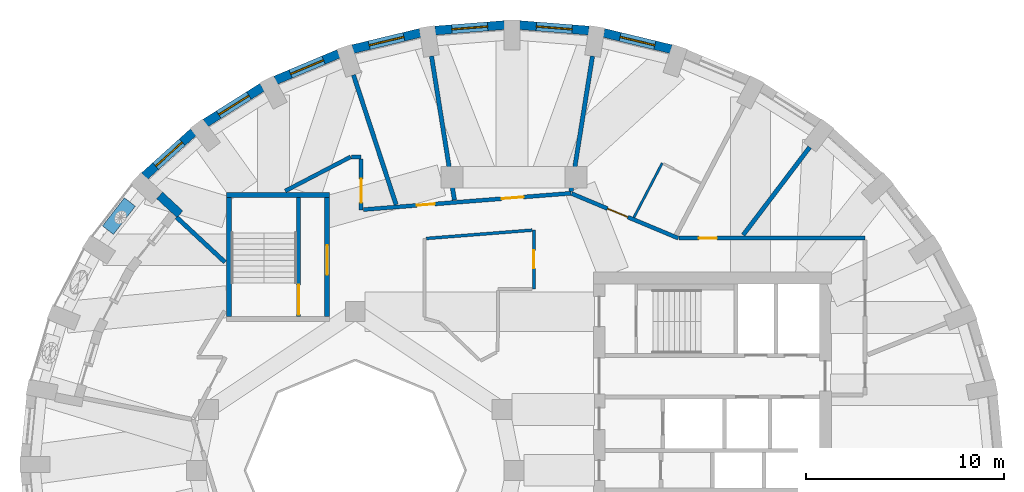
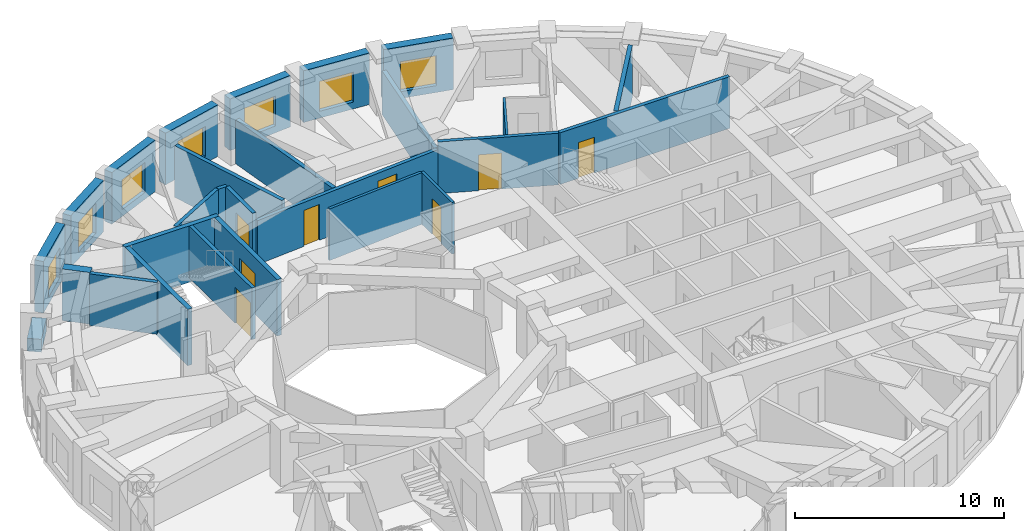
# One storey, part 7 of 12: 27 walls, 8 doors, 7 windows, 15 openings.
"""IFC4 building model written with IfcOpenShell, lengths in metres."""

from ifc_helpers import new_model, si_unit, direction, frame, frame_2d, origin, place, context, subcontext, project, spatial, rectangle, extrude, material, layer, layer_set, constituent, constituent_set, type_object, element, fill, save


model = new_model("IFC4")

# Units and contexts
model_context = context("Model", 3, precision=1e-05, world=origin(), true_north=direction((0.0, 1.0)))
body_context = subcontext(model_context, "Body", "Model", "MODEL_VIEW")
ifc_project = project(units=[si_unit("LENGTHUNIT", "METRE"), si_unit("AREAUNIT", "SQUARE_METRE"), si_unit("VOLUMEUNIT", "CUBIC_METRE"), si_unit("PLANEANGLEUNIT", "RADIAN"), si_unit("MASSUNIT", "GRAM", prefix="KILO")], contexts=[model_context])

# Site, building, storey
site_placement = place(None, origin())
site = spatial("IfcSite", under=ifc_project, at=site_placement, CompositionType="ELEMENT")
building_placement = place(site_placement, origin())
building = spatial("IfcBuilding", under=site, at=building_placement, Name="Taillehof Tower", CompositionType="ELEMENT")
storey_placement = place(building_placement, frame((0.0, 0.0, 249.800048828125)))
storey = spatial("IfcBuildingStorey", under=building, at=storey_placement, Name="L71", CompositionType="ELEMENT", Elevation=249.800048828125)

# Wall, opening, window
ifc_material_1 = material(Name="Brick masonry", Category="masonry")
ifc_layer_1 = layer(ifc_material_1, 0.449951171875)
ifc_layer_set_1 = layer_set([ifc_layer_1], Name="Brick infill wall 450")
wall_type_1 = type_object("IfcWallType", Name="Brick infill wall 450", PredefinedType="SOLIDWALL", material=ifc_layer_set_1)
wall_1_placement = place(storey_placement, frame((7.918701171875, 21.231689453125, 0.0), z_axis=(0.0, 0.0, 1.0), x_axis=(-0.972099278496, 0.23456980357, 0.0)))
wall_1 = element("IfcWall", 1, at=wall_1_placement, inside=storey, type_object=wall_type_1, Name="Brick wall L71 bay 8", PredefinedType="SOLIDWALL", context=body_context, shape_type="SweptSolid", body=[
    extrude(rectangle(XDim=3.486572265625, YDim=0.449951171875, at=frame_2d((1.7431640625, 0.0))), origin(), (0.0, 0.0, 1.0), 3.02001953125),
])
opening_1_placement = place(wall_1_placement, frame((0.84326171875, 0.0, 0.39990234375)))
opening_1 = element("IfcOpeningElement", 2, at=opening_1_placement, cuts=wall_1, Name="Opening W4", PredefinedType="OPENING", context=body_context, shape_type="SweptSolid", body=[
    extrude(rectangle(XDim=1.800048828125, YDim=1.75, at=frame_2d((0.89990234375, 0.875))), frame((0.0, 0.23486328125, 0.0), z_axis=(0.0, -1.0, 0.0), x_axis=(1.0, 0.0, 0.0)), (0.0, 0.0, 1.0), 0.469970703125),
])
ifc_material_2 = material(Name="Aluminium window frame with clear double glazing", Category="aluminium")
window_type = type_object("IfcWindowType", Name="Deep-set window 1800x1750", PartitioningType="SINGLE_PANEL", PredefinedType="WINDOW", material=ifc_material_2)
window_1_placement = place(opening_1_placement, origin())
window_1 = element("IfcWindow", 3, at=window_1_placement, inside=storey, type_object=window_type, Name="W4", OverallHeight=1.75, OverallWidth=1.800048828125, PartitioningType="SINGLE_PANEL", PredefinedType="WINDOW", context=body_context, shape_type="SweptSolid", body=[
    extrude(rectangle(XDim=1.800048828125, YDim=1.75, at=frame_2d((0.89990234375, 0.875))), frame((0.0, 0.034912109375, 0.0), z_axis=(0.0, -1.0, 0.0), x_axis=(1.0, 0.0, 0.0)), (0.0, 0.0, 1.0), 0.06005859375),
])
fill(opening_1, window_1)

wall_2_placement = place(storey_placement, frame((3.778564453125, 22.168701171875, 0.0), z_axis=(0.0, 0.0, 1.0), x_axis=(-0.996910775835, 0.078542377245, 0.0)))
wall_2 = element("IfcWall", 4, at=wall_2_placement, inside=storey, type_object=wall_type_1, Name="Brick wall L71 bay 9", PredefinedType="SOLIDWALL", context=body_context, shape_type="SweptSolid", body=[
    extrude(rectangle(XDim=3.50927734375, YDim=0.449951171875, at=frame_2d((1.754638671875, 0.0))), origin(), (0.0, 0.0, 1.0), 3.02001953125),
])
opening_2_placement = place(wall_2_placement, frame((0.854736328125, 0.0, 0.39990234375)))
opening_2 = element("IfcOpeningElement", 5, at=opening_2_placement, cuts=wall_2, Name="Opening W4", PredefinedType="OPENING", context=body_context, shape_type="SweptSolid", body=[
    extrude(rectangle(XDim=1.800048828125, YDim=1.75, at=frame_2d((0.89990234375, 0.875))), frame((0.0, 0.23486328125, 0.0), z_axis=(0.0, -1.0, 0.0), x_axis=(1.0, 0.0, 0.0)), (0.0, 0.0, 1.0), 0.469970703125),
])
window_2_placement = place(opening_2_placement, origin())
window_2 = element("IfcWindow", 6, at=window_2_placement, inside=storey, type_object=window_type, Name="W4", OverallHeight=1.75, OverallWidth=1.800048828125, PartitioningType="SINGLE_PANEL", PredefinedType="WINDOW", context=body_context, shape_type="SweptSolid", body=[
    extrude(rectangle(XDim=1.800048828125, YDim=1.75, at=frame_2d((0.89990234375, 0.875))), frame((0.0, 0.034912109375, 0.0), z_axis=(0.0, -1.0, 0.0), x_axis=(1.0, 0.0, 0.0)), (0.0, 0.0, 1.0), 0.06005859375),
])
fill(opening_2, window_2)

wall_3_placement = place(storey_placement, frame((-0.47998046875, 22.4443359375, 0.0), z_axis=(0.0, 0.0, 1.0), x_axis=(-0.996910775835, -0.078542377245, 0.0)))
wall_3 = element("IfcWall", 7, at=wall_3_placement, inside=storey, type_object=wall_type_1, Name="Brick wall L71 bay 10", PredefinedType="SOLIDWALL", context=body_context, shape_type="SweptSolid", body=[
    extrude(rectangle(XDim=3.50927734375, YDim=0.449951171875, at=frame_2d((1.754638671875, 0.0))), origin(), (0.0, 0.0, 1.0), 3.02001953125),
])
opening_3_placement = place(wall_3_placement, frame((0.854736328125, 0.0, 0.39990234375)))
opening_3 = element("IfcOpeningElement", 8, at=opening_3_placement, cuts=wall_3, Name="Opening W4", PredefinedType="OPENING", context=body_context, shape_type="SweptSolid", body=[
    extrude(rectangle(XDim=1.800048828125, YDim=1.75, at=frame_2d((0.89990234375, 0.875))), frame((0.0, 0.23486328125, 0.0), z_axis=(0.0, -1.0, 0.0), x_axis=(1.0, 0.0, 0.0)), (0.0, 0.0, 1.0), 0.469970703125),
])
window_3_placement = place(opening_3_placement, origin())
window_3 = element("IfcWindow", 9, at=window_3_placement, inside=storey, type_object=window_type, Name="W4", OverallHeight=1.75, OverallWidth=1.800048828125, PartitioningType="SINGLE_PANEL", PredefinedType="WINDOW", context=body_context, shape_type="SweptSolid", body=[
    extrude(rectangle(XDim=1.800048828125, YDim=1.75, at=frame_2d((0.89990234375, 0.875))), frame((0.0, 0.034912109375, 0.0), z_axis=(0.0, -1.0, 0.0), x_axis=(1.0, 0.0, 0.0)), (0.0, 0.0, 1.0), 0.06005859375),
])
fill(opening_3, window_3)

wall_4_placement = place(storey_placement, frame((-4.729248046875, 22.049560546875, 0.0), z_axis=(0.0, 0.0, 1.0), x_axis=(-0.972099278496, -0.23456980357, 0.0)))
wall_4 = element("IfcWall", 10, at=wall_4_placement, inside=storey, type_object=wall_type_1, Name="Brick wall L71 bay 11", PredefinedType="SOLIDWALL", context=body_context, shape_type="SweptSolid", body=[
    extrude(rectangle(XDim=3.486572265625, YDim=0.449951171875, at=frame_2d((1.7431640625, 0.0))), origin(), (0.0, 0.0, 1.0), 3.02001953125),
])
opening_4_placement = place(wall_4_placement, frame((0.84326171875, 0.0, 0.39990234375)))
opening_4 = element("IfcOpeningElement", 11, at=opening_4_placement, cuts=wall_4, Name="Opening W4", PredefinedType="OPENING", context=body_context, shape_type="SweptSolid", body=[
    extrude(rectangle(XDim=1.800048828125, YDim=1.75, at=frame_2d((0.89990234375, 0.875))), frame((0.0, 0.23486328125, 0.0), z_axis=(0.0, -1.0, 0.0), x_axis=(1.0, 0.0, 0.0)), (0.0, 0.0, 1.0), 0.469970703125),
])
window_4_placement = place(opening_4_placement, origin())
window_4 = element("IfcWindow", 12, at=window_4_placement, inside=storey, type_object=window_type, Name="W4", OverallHeight=1.75, OverallWidth=1.800048828125, PartitioningType="SINGLE_PANEL", PredefinedType="WINDOW", context=body_context, shape_type="SweptSolid", body=[
    extrude(rectangle(XDim=1.800048828125, YDim=1.75, at=frame_2d((0.89990234375, 0.875))), frame((0.0, 0.034912109375, 0.0), z_axis=(0.0, -1.0, 0.0), x_axis=(1.0, 0.0, 0.0)), (0.0, 0.0, 1.0), 0.06005859375),
])
fill(opening_4, window_4)

wall_5_placement = place(storey_placement, frame((-8.8408203125, 20.994873046875, 0.0), z_axis=(0.0, 0.0, 1.0), x_axis=(-0.922024627475, -0.387131226239, 0.0)))
wall_5 = element("IfcWall", 13, at=wall_5_placement, inside=storey, type_object=wall_type_1, Name="Brick wall L71 bay 12", PredefinedType="SOLIDWALL", context=body_context, shape_type="SweptSolid", body=[
    extrude(rectangle(XDim=3.443359375, YDim=0.449951171875, at=frame_2d((1.7216796875, 0.0))), origin(), (0.0, 0.0, 1.0), 3.02001953125),
])
opening_5_placement = place(wall_5_placement, frame((0.82177734375, 0.0, 0.39990234375)))
opening_5 = element("IfcOpeningElement", 14, at=opening_5_placement, cuts=wall_5, Name="Opening W4", PredefinedType="OPENING", context=body_context, shape_type="SweptSolid", body=[
    extrude(rectangle(XDim=1.800048828125, YDim=1.75, at=frame_2d((0.89990234375, 0.875))), frame((0.0, 0.23486328125, 0.0), z_axis=(0.0, -1.0, 0.0), x_axis=(1.0, 0.0, 0.0)), (0.0, 0.0, 1.0), 0.469970703125),
])
window_5_placement = place(opening_5_placement, origin())
window_5 = element("IfcWindow", 15, at=window_5_placement, inside=storey, type_object=window_type, Name="W4", OverallHeight=1.75, OverallWidth=1.800048828125, PartitioningType="SINGLE_PANEL", PredefinedType="WINDOW", context=body_context, shape_type="SweptSolid", body=[
    extrude(rectangle(XDim=1.800048828125, YDim=1.75, at=frame_2d((0.89990234375, 0.875))), frame((0.0, 0.034912109375, 0.0), z_axis=(0.0, -1.0, 0.0), x_axis=(1.0, 0.0, 0.0)), (0.0, 0.0, 1.0), 0.06005859375),
])
fill(opening_5, window_5)

wall_6_placement = place(storey_placement, frame((-12.68994140625, 19.31103515625, 0.0), z_axis=(0.0, 0.0, 1.0), x_axis=(-0.845929139811, -0.53329531258, 0.0)))
wall_6 = element("IfcWall", 16, at=wall_6_placement, inside=storey, type_object=wall_type_1, Name="Brick wall L71 bay 13", PredefinedType="SOLIDWALL", context=body_context, shape_type="SweptSolid", body=[
    extrude(rectangle(XDim=3.384521484375, YDim=0.449951171875, at=frame_2d((1.6923828125, 0.0))), origin(), (0.0, 0.0, 1.0), 3.02001953125),
])
opening_6_placement = place(wall_6_placement, frame((0.792236328125, 0.0, 0.39990234375)))
opening_6 = element("IfcOpeningElement", 17, at=opening_6_placement, cuts=wall_6, Name="Opening W4", PredefinedType="OPENING", context=body_context, shape_type="SweptSolid", body=[
    extrude(rectangle(XDim=1.800048828125, YDim=1.75, at=frame_2d((0.89990234375, 0.875))), frame((0.0, 0.23486328125, 0.0), z_axis=(0.0, -1.0, 0.0), x_axis=(1.0, 0.0, 0.0)), (0.0, 0.0, 1.0), 0.469970703125),
])
window_6_placement = place(opening_6_placement, origin())
window_6 = element("IfcWindow", 18, at=window_6_placement, inside=storey, type_object=window_type, Name="W4", OverallHeight=1.75, OverallWidth=1.800048828125, PartitioningType="SINGLE_PANEL", PredefinedType="WINDOW", context=body_context, shape_type="SweptSolid", body=[
    extrude(rectangle(XDim=1.800048828125, YDim=1.75, at=frame_2d((0.89990234375, 0.875))), frame((0.0, 0.034912109375, 0.0), z_axis=(0.0, -1.0, 0.0), x_axis=(1.0, 0.0, 0.0)), (0.0, 0.0, 1.0), 0.06005859375),
])
fill(opening_6, window_6)

wall_7_placement = place(storey_placement, frame((-16.1591796875, 17.04736328125, 0.0), z_axis=(0.0, 0.0, 1.0), x_axis=(-0.743166014219, -0.669107073128, 0.0)))
wall_7 = element("IfcWall", 19, at=wall_7_placement, inside=storey, type_object=wall_type_1, Name="Brick wall L71 bay 14", PredefinedType="SOLIDWALL", context=body_context, shape_type="SweptSolid", body=[
    extrude(rectangle(XDim=3.31640625, YDim=0.449951171875, at=frame_2d((1.658203125, 0.0))), origin(), (0.0, 0.0, 1.0), 3.02001953125),
])
opening_7_placement = place(wall_7_placement, frame((0.75830078125, 0.0, 0.39990234375)))
opening_7 = element("IfcOpeningElement", 20, at=opening_7_placement, cuts=wall_7, Name="Opening W4", PredefinedType="OPENING", context=body_context, shape_type="SweptSolid", body=[
    extrude(rectangle(XDim=1.800048828125, YDim=1.75, at=frame_2d((0.89990234375, 0.875))), frame((0.0, 0.23486328125, 0.0), z_axis=(0.0, -1.0, 0.0), x_axis=(1.0, 0.0, 0.0)), (0.0, 0.0, 1.0), 0.469970703125),
])
window_7_placement = place(opening_7_placement, origin())
window_7 = element("IfcWindow", 21, at=window_7_placement, inside=storey, type_object=window_type, Name="W4", OverallHeight=1.75, OverallWidth=1.800048828125, PartitioningType="SINGLE_PANEL", PredefinedType="WINDOW", context=body_context, shape_type="SweptSolid", body=[
    extrude(rectangle(XDim=1.800048828125, YDim=1.75, at=frame_2d((0.89990234375, 0.875))), frame((0.0, 0.034912109375, 0.0), z_axis=(0.0, -1.0, 0.0), x_axis=(1.0, 0.0, 0.0)), (0.0, 0.0, 1.0), 0.06005859375),
])
fill(opening_7, window_7)

# Walls
wall_8_placement = place(storey_placement, frame((-17.861083984375, 13.856689453125, 0.0), z_axis=(0.0, 0.0, 1.0), x_axis=(0.732605925603, -0.680653037731, 0.0)))
element("IfcWall", 22, at=wall_8_placement, inside=storey, type_object=wall_type_1, Name="Brick reveal L71 pocket 4", PredefinedType="SOLIDWALL", context=body_context, shape_type="SweptSolid", body=[
    extrude(rectangle(XDim=1.390869140625, YDim=0.449951171875, at=frame_2d((0.6953125, 0.0))), origin(), (0.0, 0.0, 1.0), 3.02001953125),
])
ifc_material_3 = material(Name="Gypsum board on steel studs, two layers each side", Category="steel")
ifc_layer_2 = layer(ifc_material_3, 0.199951171875)
ifc_layer_set_2 = layer_set([ifc_layer_2], Name="Compartment wall corridor 200")
wall_type_2 = type_object("IfcWallType", Name="Compartment wall corridor 200", PredefinedType="PARTITIONING", material=ifc_layer_set_2)
wall_9_placement = place(storey_placement, frame((-11.53369140625, 14.080810546875, 0.0), z_axis=(0.0, 0.0, 1.0), x_axis=(0.886975089277, 0.461817270143, 0.0)))
element("IfcWall", 23, at=wall_9_placement, inside=storey, type_object=wall_type_2, Name="Compartment wall", PredefinedType="PARTITIONING", context=body_context, shape_type="SweptSolid", body=[
    extrude(rectangle(XDim=3.72265625, YDim=0.199951171875, at=frame_2d((1.861328125, 0.0))), origin(), (0.0, 0.0, 1.0), 3.02001953125),
])
wall_10_placement = place(storey_placement, frame((-8.191650390625, 15.800048828125, 0.0), z_axis=(0.0, 0.0, 1.0), x_axis=(1.0, 0.0, 0.0)))
element("IfcWall", 24, at=wall_10_placement, inside=storey, type_object=wall_type_2, Name="Compartment wall", PredefinedType="PARTITIONING", context=body_context, shape_type="SweptSolid", body=[
    extrude(rectangle(XDim=0.49169921875, YDim=0.199951171875, at=frame_2d((0.245849609375, 0.0))), origin(), (0.0, 0.0, 1.0), 3.02001953125),
])

# Wall, opening, door
wall_11_placement = place(storey_placement, frame((-7.699951171875, 15.699951171875, 0.0), z_axis=(0.0, 0.0, 1.0), x_axis=(0.0, -1.0, 0.0)))
wall_11 = element("IfcWall", 25, at=wall_11_placement, inside=storey, type_object=wall_type_2, Name="Compartment wall", PredefinedType="PARTITIONING", context=body_context, shape_type="SweptSolid", body=[
    extrude(rectangle(XDim=2.56494140625, YDim=0.199951171875, at=frame_2d((1.282470703125, 0.0))), origin(), (0.0, 0.0, 1.0), 3.02001953125),
])
opening_8_placement = place(wall_11_placement, frame((1.008056640625, 0.0, 0.0)))
opening_8 = element("IfcOpeningElement", 26, at=opening_8_placement, cuts=wall_11, Name="Opening D7145", PredefinedType="OPENING", context=body_context, shape_type="SweptSolid", body=[
    extrude(rectangle(XDim=1.199951171875, YDim=2.10009765625, at=frame_2d((0.60009765625, 1.050048828125))), frame((0.0, 0.10986328125, 0.0), z_axis=(0.0, -1.0, 0.0), x_axis=(1.0, 0.0, 0.0)), (0.0, 0.0, 1.0), 0.219970703125),
])
ifc_material_4 = material(Name="Timber door leaf in steel frame", Category="steel")
door_type_1 = type_object("IfcDoorType", Name="Suite entrance door EI 30 1200 x 2100", OperationType="SINGLE_SWING_LEFT", PredefinedType="DOOR", material=ifc_material_4)
door_1_placement = place(opening_8_placement, origin())
door_1 = element("IfcDoor", 27, at=door_1_placement, inside=storey, type_object=door_type_1, Name="D7145", OperationType="SINGLE_SWING_RIGHT", OverallHeight=2.10009765625, OverallWidth=1.199951171875, PredefinedType="DOOR", context=body_context, shape_type="SweptSolid", body=[
    extrude(rectangle(XDim=1.199951171875, YDim=2.10009765625, at=frame_2d((0.60009765625, 1.050048828125))), frame((0.0, 0.02490234375, 0.0), z_axis=(0.0, -1.0, 0.0), x_axis=(1.0, 0.0, 0.0)), (0.0, 0.0, 1.0), 0.050048828125),
])
fill(opening_8, door_1)

# Wall, openings, doors
wall_12_placement = place(storey_placement, frame((-7.579833984375, 13.143798828125, 0.0), z_axis=(0.0, 0.0, 1.0), x_axis=(0.996921908045, 0.078400951905, 0.0)))
wall_12 = element("IfcWall", 28, at=wall_12_placement, inside=storey, type_object=wall_type_2, Name="Compartment wall", PredefinedType="PARTITIONING", context=body_context, shape_type="SweptSolid", body=[
    extrude(rectangle(XDim=10.481689453125, YDim=0.199951171875, at=frame_2d((5.24072265625, 0.0))), origin(), (0.0, 0.0, 1.0), 2.570068359375),
])
opening_9_placement = place(wall_12_placement, frame((6.98974609375, 0.0, 0.0)))
opening_9 = element("IfcOpeningElement", 29, at=opening_9_placement, cuts=wall_12, Name="Opening D7143", PredefinedType="OPENING", context=body_context, shape_type="SweptSolid", body=[
    extrude(rectangle(XDim=1.10009765625, YDim=2.10009765625, at=frame_2d((0.550048828125, 1.050048828125))), frame((0.0, 0.10986328125, 0.0), z_axis=(0.0, -1.0, 0.0), x_axis=(1.0, 0.0, 0.0)), (0.0, 0.0, 1.0), 0.219970703125),
])
opening_10_placement = place(wall_12_placement, frame((2.696044921875, 0.0, 0.0)))
opening_10 = element("IfcOpeningElement", 30, at=opening_10_placement, cuts=wall_12, Name="Opening D7144", PredefinedType="OPENING", context=body_context, shape_type="SweptSolid", body=[
    extrude(rectangle(XDim=0.89990234375, YDim=2.10009765625, at=frame_2d((0.449951171875, 1.050048828125))), frame((0.0, 0.10986328125, 0.0), z_axis=(0.0, -1.0, 0.0), x_axis=(1.0, 0.0, 0.0)), (0.0, 0.0, 1.0), 0.219970703125),
])
ifc_material_5 = material(Name="Timber door leaf in steel frame", Category="steel")
door_type_2 = type_object("IfcDoorType", Name="Service room door EI 30 900 x 2100", OperationType="SINGLE_SWING_LEFT", PredefinedType="DOOR", material=ifc_material_5)
door_2_placement = place(opening_10_placement, origin())
door_2 = element("IfcDoor", 31, at=door_2_placement, inside=storey, type_object=door_type_2, Name="D7144", OperationType="SINGLE_SWING_LEFT", OverallHeight=2.10009765625, OverallWidth=0.89990234375, PredefinedType="DOOR", context=body_context, shape_type="SweptSolid", body=[
    extrude(rectangle(XDim=0.89990234375, YDim=2.10009765625, at=frame_2d((0.449951171875, 1.050048828125))), frame((0.0, 0.02490234375, 0.0), z_axis=(0.0, -1.0, 0.0), x_axis=(1.0, 0.0, 0.0)), (0.0, 0.0, 1.0), 0.050048828125),
])
fill(opening_10, door_2)
ifc_material_6 = material(Name="Timber door leaf in steel frame", Category="steel")
door_type_3 = type_object("IfcDoorType", Name="Suite entrance door EI 30 1100 x 2100", OperationType="SINGLE_SWING_LEFT", PredefinedType="DOOR", material=ifc_material_6)
door_3_placement = place(opening_9_placement, origin())
door_3 = element("IfcDoor", 32, at=door_3_placement, inside=storey, type_object=door_type_3, Name="D7143", OperationType="SINGLE_SWING_RIGHT", OverallHeight=2.10009765625, OverallWidth=1.10009765625, PredefinedType="DOOR", context=body_context, shape_type="SweptSolid", body=[
    extrude(rectangle(XDim=1.10009765625, YDim=2.10009765625, at=frame_2d((0.550048828125, 1.050048828125))), frame((0.0, 0.02490234375, 0.0), z_axis=(0.0, -1.0, 0.0), x_axis=(1.0, 0.0, 0.0)), (0.0, 0.0, 1.0), 0.050048828125),
])
fill(opening_9, door_3)

# Wall, opening, door
wall_13_placement = place(storey_placement, frame((2.90673828125, 13.949951171875, 0.0), z_axis=(0.0, 0.0, 1.0), x_axis=(0.922453481254, -0.386108242494, 0.0)))
wall_13 = element("IfcWall", 33, at=wall_13_placement, inside=storey, type_object=wall_type_2, Name="Compartment wall", PredefinedType="PARTITIONING", context=body_context, shape_type="SweptSolid", body=[
    extrude(rectangle(XDim=5.827392578125, YDim=0.199951171875, at=frame_2d((2.91357421875, 0.0))), origin(), (0.0, 0.0, 1.0), 3.02001953125),
])
opening_11_placement = place(wall_13_placement, frame((1.967529296875, 0.0, 0.0)))
opening_11 = element("IfcOpeningElement", 34, at=opening_11_placement, cuts=wall_13, Name="Opening D7141", PredefinedType="OPENING", context=body_context, shape_type="SweptSolid", body=[
    extrude(rectangle(XDim=1.10009765625, YDim=2.10009765625, at=frame_2d((0.550048828125, 1.050048828125))), frame((0.0, 0.10986328125, 0.0), z_axis=(0.0, -1.0, 0.0), x_axis=(1.0, 0.0, 0.0)), (0.0, 0.0, 1.0), 0.219970703125),
])
ifc_material_7 = material(Name="Timber door leaf in steel frame", Category="steel")
door_type_4 = type_object("IfcDoorType", Name="Accessible guest room door EI 30 1100 x 2100", OperationType="SINGLE_SWING_LEFT", PredefinedType="DOOR", material=ifc_material_7)
door_4_placement = place(opening_11_placement, origin())
door_4 = element("IfcDoor", 35, at=door_4_placement, inside=storey, type_object=door_type_4, Name="D7141", OperationType="SINGLE_SWING_RIGHT", OverallHeight=2.10009765625, OverallWidth=1.10009765625, PredefinedType="DOOR", context=body_context, shape_type="SweptSolid", body=[
    extrude(rectangle(XDim=1.10009765625, YDim=2.10009765625, at=frame_2d((0.550048828125, 1.050048828125))), frame((0.0, 0.02490234375, 0.0), z_axis=(0.0, -1.0, 0.0), x_axis=(1.0, 0.0, 0.0)), (0.0, 0.0, 1.0), 0.050048828125),
])
fill(opening_11, door_4)

wall_14_placement = place(storey_placement, frame((8.322265625, 11.699951171875, 0.0), z_axis=(0.0, 0.0, 1.0), x_axis=(1.0, 0.0, 0.0)))
wall_14 = element("IfcWall", 36, at=wall_14_placement, inside=storey, type_object=wall_type_2, Name="Compartment wall", PredefinedType="PARTITIONING", context=body_context, shape_type="SweptSolid", body=[
    extrude(rectangle(XDim=9.377685546875, YDim=0.199951171875, at=frame_2d((4.68896484375, 0.0))), origin(), (0.0, 0.0, 1.0), 3.02001953125),
])
opening_12_placement = place(wall_14_placement, frame((1.002197265625, 0.0, 0.0)))
opening_12 = element("IfcOpeningElement", 37, at=opening_12_placement, cuts=wall_14, Name="Opening D7140", PredefinedType="OPENING", context=body_context, shape_type="SweptSolid", body=[
    extrude(rectangle(XDim=0.89990234375, YDim=2.10009765625, at=frame_2d((0.449951171875, 1.050048828125))), frame((0.0, 0.10986328125, 0.0), z_axis=(0.0, -1.0, 0.0), x_axis=(1.0, 0.0, 0.0)), (0.0, 0.0, 1.0), 0.219970703125),
])
door_5_placement = place(opening_12_placement, origin())
door_5 = element("IfcDoor", 38, at=door_5_placement, inside=storey, type_object=door_type_2, Name="D7140", OperationType="SINGLE_SWING_LEFT", OverallHeight=2.10009765625, OverallWidth=0.89990234375, PredefinedType="DOOR", context=body_context, shape_type="SweptSolid", body=[
    extrude(rectangle(XDim=0.89990234375, YDim=2.10009765625, at=frame_2d((0.449951171875, 1.050048828125))), frame((0.0, 0.02490234375, 0.0), z_axis=(0.0, -1.0, 0.0), x_axis=(1.0, 0.0, 0.0)), (0.0, 0.0, 1.0), 0.050048828125),
])
fill(opening_12, door_5)

# Walls
ifc_material_8 = material(Name="Gypsum board on double steel studs with mineral wool", Category="steel")
ifc_layer_3 = layer(ifc_material_8, 0.219970703125)
ifc_layer_set_3 = layer_set([ifc_layer_3], Name="Compartment wall guest room 220")
wall_type_3 = type_object("IfcWallType", Name="Compartment wall guest room 220", PredefinedType="PARTITIONING", material=ifc_layer_set_3)
wall_15_placement = place(storey_placement, frame((14.906005859375, 16.287109375, 0.0), z_axis=(0.0, 0.0, 1.0), x_axis=(-0.604066831727, -0.796933662739, 0.0)))
element("IfcWall", 39, at=wall_15_placement, inside=storey, type_object=wall_type_3, Name="Compartment wall", PredefinedType="PARTITIONING", context=body_context, shape_type="SweptSolid", body=[
    extrude(rectangle(XDim=5.55078125, YDim=0.219970703125, at=frame_2d((2.775390625, 0.0))), origin(), (0.0, 0.0, 1.0), 3.02001953125),
])
wall_16_placement = place(storey_placement, frame((3.958251953125, 20.88037109375, 0.0), z_axis=(0.0, 0.0, 1.0), x_axis=(-0.157259964952, -0.987557240581, 0.0)))
element("IfcWall", 40, at=wall_16_placement, inside=storey, type_object=wall_type_3, Name="Compartment wall", PredefinedType="PARTITIONING", context=body_context, shape_type="SweptSolid", body=[
    extrude(rectangle(XDim=6.908447265625, YDim=0.219970703125, at=frame_2d((3.4541015625, 0.0))), origin(), (0.0, 0.0, 1.0), 2.570068359375),
])
wall_17_placement = place(storey_placement, frame((-4.158203125, 20.88037109375, 0.0), z_axis=(0.0, 0.0, 1.0), x_axis=(0.157271196312, -0.987555452018, 0.0)))
element("IfcWall", 41, at=wall_17_placement, inside=storey, type_object=wall_type_3, Name="Compartment wall", PredefinedType="PARTITIONING", context=body_context, shape_type="SweptSolid", body=[
    extrude(rectangle(XDim=7.347412109375, YDim=0.219970703125, at=frame_2d((3.673828125, 0.0))), origin(), (0.0, 0.0, 1.0), 2.570068359375),
])
wall_18_placement = place(storey_placement, frame((-8.09130859375, 19.931884765625, 0.0), z_axis=(0.0, 0.0, 1.0), x_axis=(0.312277225251, -0.949991018162, 0.0)))
element("IfcWall", 42, at=wall_18_placement, inside=storey, type_object=wall_type_3, Name="Compartment wall", PredefinedType="PARTITIONING", context=body_context, shape_type="SweptSolid", body=[
    extrude(rectangle(XDim=6.883056640625, YDim=0.219970703125, at=frame_2d((3.44140625, 0.0))), origin(), (0.0, 0.0, 1.0), 3.02001953125),
])
wall_19_placement = place(storey_placement, frame((-17.008544921875, 12.757568359375, 0.0), z_axis=(0.0, 0.0, 1.0), x_axis=(0.732631495403, -0.680625515202, 0.0)))
element("IfcWall", 43, at=wall_19_placement, inside=storey, type_object=wall_type_3, Name="Compartment wall", PredefinedType="PARTITIONING", context=body_context, shape_type="SweptSolid", body=[
    extrude(rectangle(XDim=3.328369140625, YDim=0.219970703125, at=frame_2d((1.6640625, 0.0))), origin(), (0.0, 0.0, 1.0), 3.02001953125),
])

# Wall, opening, door
ifc_material_9 = material(Name="Gypsum board on steel studs, two layers each side", Category="steel")
ifc_layer_4 = layer(ifc_material_9, 0.14990234375)
ifc_layer_set_4 = layer_set([ifc_layer_4], Name="Compartment wall service room 150")
wall_type_4 = type_object("IfcWallType", Name="Compartment wall service room 150", PredefinedType="PARTITIONING", material=ifc_layer_set_4)
wall_20_placement = place(storey_placement, frame((1.0, 12.11328125, 0.0), z_axis=(0.0, 0.0, 1.0), x_axis=(0.0, -1.0, 0.0)))
wall_20 = element("IfcWall", 44, at=wall_20_placement, inside=storey, type_object=wall_type_4, Name="Compartment wall", PredefinedType="PARTITIONING", context=body_context, shape_type="SweptSolid", body=[
    extrude(rectangle(XDim=2.96337890625, YDim=0.14990234375, at=frame_2d((1.481689453125, 0.0))), origin(), (0.0, 0.0, 1.0), 3.02001953125),
])
opening_13_placement = place(wall_20_placement, frame((1.03173828125, 0.0, 0.0)))
opening_13 = element("IfcOpeningElement", 45, at=opening_13_placement, cuts=wall_20, Name="Opening D7159", PredefinedType="OPENING", context=body_context, shape_type="SweptSolid", body=[
    extrude(rectangle(XDim=0.89990234375, YDim=2.10009765625, at=frame_2d((0.449951171875, 1.050048828125))), frame((0.0, 0.0849609375, 0.0), z_axis=(0.0, -1.0, 0.0), x_axis=(1.0, 0.0, 0.0)), (0.0, 0.0, 1.0), 0.169921875),
])
door_6_placement = place(opening_13_placement, origin())
door_6 = element("IfcDoor", 46, at=door_6_placement, inside=storey, type_object=door_type_2, Name="D7159", OperationType="SINGLE_SWING_LEFT", OverallHeight=2.10009765625, OverallWidth=0.89990234375, PredefinedType="DOOR", context=body_context, shape_type="SweptSolid", body=[
    extrude(rectangle(XDim=0.89990234375, YDim=2.10009765625, at=frame_2d((0.449951171875, 1.050048828125))), frame((0.0, 0.02490234375, 0.0), z_axis=(0.0, -1.0, 0.0), x_axis=(1.0, 0.0, 0.0)), (0.0, 0.0, 1.0), 0.050048828125),
])
fill(opening_13, door_6)

# Walls
wall_21_placement = place(storey_placement, frame((-4.419921875, 11.68701171875, 0.0), z_axis=(0.0, 0.0, 1.0), x_axis=(0.996915064954, 0.078487917971, 0.0)))
element("IfcWall", 47, at=wall_21_placement, inside=storey, type_object=wall_type_4, Name="Compartment wall", PredefinedType="PARTITIONING", context=body_context, shape_type="SweptSolid", body=[
    extrude(rectangle(XDim=5.3564453125, YDim=0.14990234375, at=frame_2d((2.67822265625, 0.0))), origin(), (0.0, 0.0, 1.0), 3.02001953125),
])
ifc_material_10 = material(Name="Gypsum board on steel studs, moisture resistant", Category="steel")
ifc_layer_5 = layer(ifc_material_10, 0.1201171875)
ifc_layer_set_5 = layer_set([ifc_layer_5], Name="En-suite wall 120")
wall_type_5 = type_object("IfcWallType", Name="En-suite wall 120", PredefinedType="PARTITIONING", material=ifc_layer_set_5)
wall_22_placement = place(storey_placement, frame((6.043701171875, 12.745361328125, 0.0), z_axis=(0.0, 0.0, 1.0), x_axis=(0.462331372195, 0.886707224672, 0.0)))
element("IfcWall", 48, at=wall_22_placement, inside=storey, type_object=wall_type_5, Name="En-suite wall", PredefinedType="PARTITIONING", context=body_context, shape_type="SweptSolid", body=[
    extrude(rectangle(XDim=3.093994140625, YDim=0.1201171875, at=frame_2d((1.546875, 0.0))), origin(), (0.0, 0.0, 1.0), 3.02001953125),
])
ifc_material_11 = material(Name="Concrete C30/37 precast", Category="concrete")
ifc_constituent_1 = constituent(ifc_material_11, Name="Structure", Category="concrete")
ifc_material_12 = material(Name="Insulated lining")
ifc_constituent_2 = constituent(ifc_material_12, Name="Lining")
ifc_constituent_set = constituent_set(constituents=[ifc_constituent_1, ifc_constituent_2], Name="Planter trough 700x750")
wall_type_6 = type_object("IfcWallType", Name="Planter trough 700x750", PredefinedType="USERDEFINED", material=ifc_constituent_set)
wall_23_placement = place(storey_placement, frame((-19.361083984375, 13.525390625, 0.0), z_axis=(0.0, 0.0, 1.0), x_axis=(-0.613884271235, -0.789396035923, 0.0)))
element("IfcWall", 49, at=wall_23_placement, inside=storey, type_object=wall_type_6, Name="Planter L71 bay 15", ObjectType="PLANTER", PredefinedType="USERDEFINED", context=body_context, shape_type="SweptSolid", body=[
    extrude(rectangle(XDim=1.800048828125, YDim=0.699951171875, at=frame_2d((0.89990234375, 0.0))), origin(), (0.0, 0.0, 1.0), 0.75),
])

# Wall, opening, door
ifc_material_13 = material(Name="Concrete C50/60", Category="concrete")
ifc_layer_6 = layer(ifc_material_13, 0.199951171875)
ifc_layer_set_6 = layer_set([ifc_layer_6], Name="Shaft wall C50/60 200")
wall_type_7 = type_object("IfcWallType", Name="Shaft wall C50/60 200", PredefinedType="SHEAR", material=ifc_layer_set_6)
wall_24_placement = place(storey_placement, frame((-10.85009765625, 7.75, 0.0), z_axis=(0.0, 0.0, 1.0), x_axis=(0.0, 1.0, 0.0)))
wall_24 = element("IfcWall", 50, at=wall_24_placement, inside=storey, type_object=wall_type_7, Name="Shaft wall SW", PredefinedType="SHEAR", context=body_context, shape_type="SweptSolid", body=[
    extrude(rectangle(XDim=6.0, YDim=0.199951171875, at=frame_2d((3.0, 0.0))), origin(), (0.0, 0.0, 1.0), 3.02001953125),
])
opening_14_placement = place(wall_24_placement, frame((0.10009765625, 0.0, 0.0)))
opening_14 = element("IfcOpeningElement", 51, at=opening_14_placement, cuts=wall_24, Name="Opening D7112", PredefinedType="OPENING", context=body_context, shape_type="SweptSolid", body=[
    extrude(rectangle(XDim=1.5, YDim=2.10009765625, at=frame_2d((0.75, 1.050048828125))), frame((0.0, 0.10986328125, 0.0), z_axis=(0.0, -1.0, 0.0), x_axis=(1.0, 0.0, 0.0)), (0.0, 0.0, 1.0), 0.219970703125),
])
ifc_material_14 = material(Name="Steel-faced fire door", Category="steel")
door_type_5 = type_object("IfcDoorType", Name="Stair door 1500x2100", OperationType="DOUBLE_DOOR_SINGLE_SWING", PredefinedType="DOOR", material=ifc_material_14)
door_7_placement = place(opening_14_placement, origin())
door_7 = element("IfcDoor", 52, at=door_7_placement, inside=storey, type_object=door_type_5, Name="Stair lobby door S3", OperationType="DOUBLE_DOOR_SINGLE_SWING", OverallHeight=2.10009765625, OverallWidth=1.5, PredefinedType="DOOR", context=body_context, shape_type="SweptSolid", body=[
    extrude(rectangle(XDim=1.5, YDim=2.10009765625, at=frame_2d((0.75, 1.050048828125))), frame((0.0, 0.02490234375, 0.0), z_axis=(0.0, -1.0, 0.0), x_axis=(1.0, 0.0, 0.0)), (0.0, 0.0, 1.0), 0.050048828125),
])
fill(opening_14, door_7)

# Wall
ifc_material_15 = material(Name="Concrete C50/60", Category="concrete")
ifc_layer_7 = layer(ifc_material_15, 0.25)
ifc_layer_set_7 = layer_set([ifc_layer_7], Name="Stair wall C50/60 250")
wall_type_8 = type_object("IfcWallType", Name="Stair wall C50/60 250", PredefinedType="SHEAR", material=ifc_layer_set_7)
wall_25_placement = place(storey_placement, frame((-14.375, 7.75, -0.280029296875), z_axis=(0.0, 0.0, 1.0), x_axis=(0.0, 1.0, 0.0)))
element("IfcWall", 53, at=wall_25_placement, inside=storey, type_object=wall_type_8, Name="Stair wall SC", PredefinedType="SHEAR", context=body_context, shape_type="SweptSolid", body=[
    extrude(rectangle(XDim=6.0, YDim=0.25, at=frame_2d((3.0, 0.0))), origin(), (0.0, 0.0, 1.0), 3.300048828125),
])

# Wall, opening, door
wall_26_placement = place(storey_placement, frame((-9.425048828125, 7.75, -0.280029296875), z_axis=(0.0, 0.0, 1.0), x_axis=(0.0, 1.0, 0.0)))
wall_26 = element("IfcWall", 54, at=wall_26_placement, inside=storey, type_object=wall_type_8, Name="Stair wall SC", PredefinedType="SHEAR", context=body_context, shape_type="SweptSolid", body=[
    extrude(rectangle(XDim=6.0, YDim=0.25, at=frame_2d((3.0, 0.0))), origin(), (0.0, 0.0, 1.0), 3.300048828125),
])
opening_15_placement = place(wall_26_placement, frame((2.10009765625, 0.0, 0.280029296875)))
opening_15 = element("IfcOpeningElement", 55, at=opening_15_placement, cuts=wall_26, Name="Opening D7115", PredefinedType="OPENING", context=body_context, shape_type="SweptSolid", body=[
    extrude(rectangle(XDim=1.5, YDim=2.10009765625, at=frame_2d((0.75, 1.050048828125))), frame((0.0, 0.135009765625, 0.0), z_axis=(0.0, -1.0, 0.0), x_axis=(1.0, 0.0, 0.0)), (0.0, 0.0, 1.0), 0.27001953125),
])
door_8_placement = place(opening_15_placement, origin())
door_8 = element("IfcDoor", 56, at=door_8_placement, inside=storey, type_object=door_type_5, Name="Stair door S3", OperationType="DOUBLE_DOOR_SINGLE_SWING", OverallHeight=2.10009765625, OverallWidth=1.5, PredefinedType="DOOR", context=body_context, shape_type="SweptSolid", body=[
    extrude(rectangle(XDim=1.5, YDim=2.10009765625, at=frame_2d((0.75, 1.050048828125))), frame((0.0, 0.02490234375, 0.0), z_axis=(0.0, -1.0, 0.0), x_axis=(1.0, 0.0, 0.0)), (0.0, 0.0, 1.0), 0.050048828125),
])
fill(opening_15, door_8)

# Wall
wall_27_placement = place(storey_placement, frame((-14.5, 13.875, -0.280029296875), z_axis=(0.0, 0.0, 1.0), x_axis=(1.0, 0.0, 0.0)))
element("IfcWall", 57, at=wall_27_placement, inside=storey, type_object=wall_type_8, Name="Stair wall SC", PredefinedType="SHEAR", context=body_context, shape_type="SweptSolid", body=[
    extrude(rectangle(XDim=5.199951171875, YDim=0.25, at=frame_2d((2.60009765625, 0.0))), origin(), (0.0, 0.0, 1.0), 3.300048828125),
])

save(model, "model.ifc")
